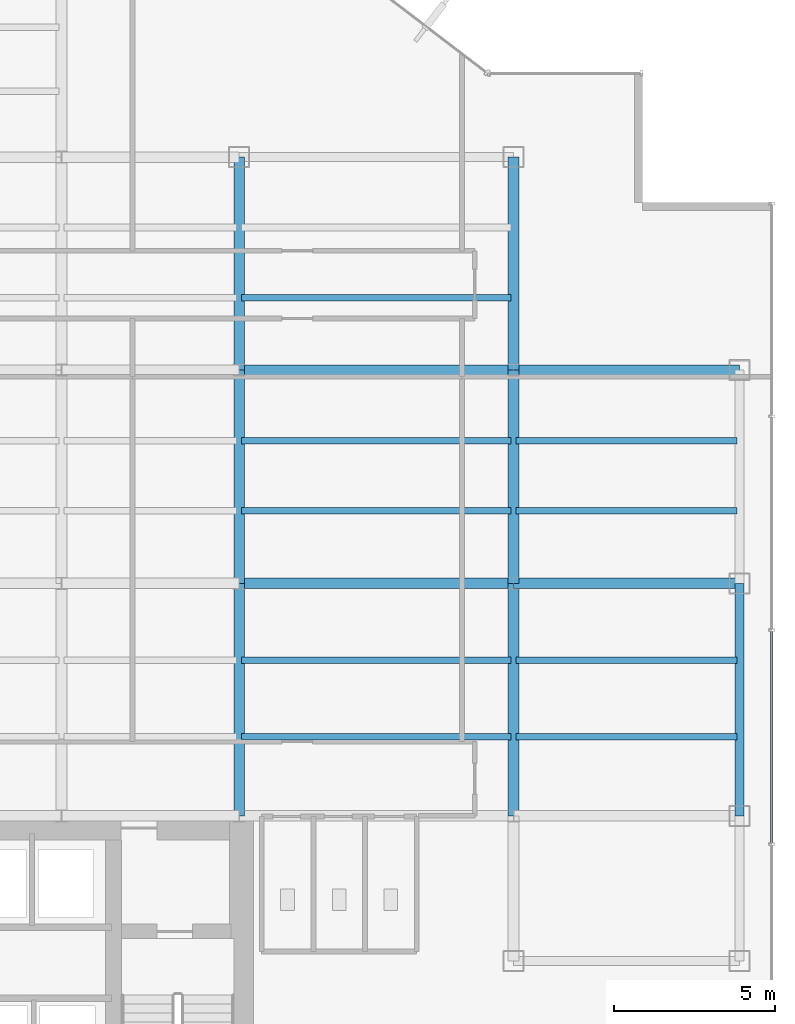
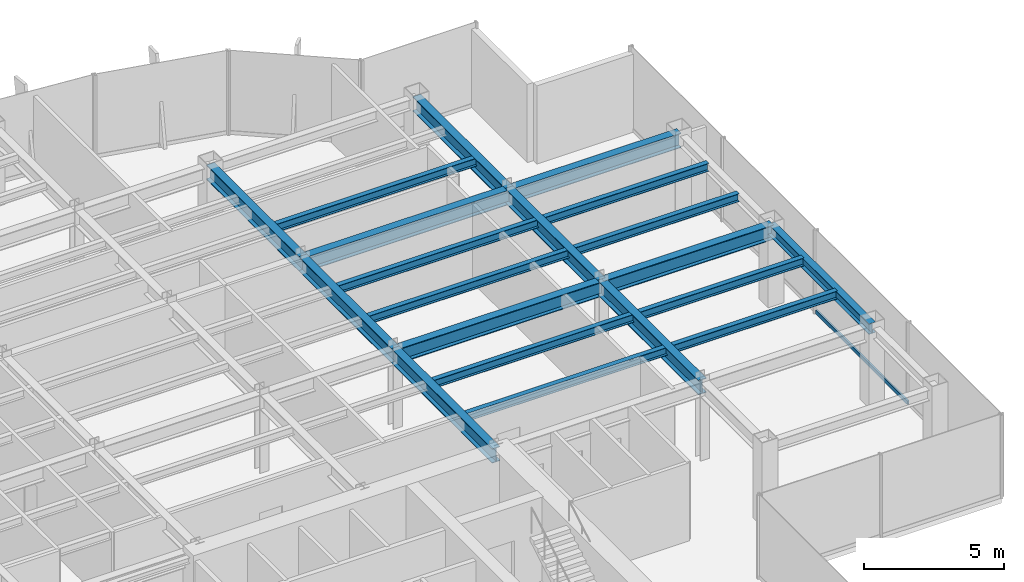
# One storey, part 12 of 25: 20 beams, 1 member, 1 element without a shape of its own.
"""IFC4 building model written with IfcOpenShell, lengths in metres."""

from ifc_helpers import new_model, si_unit, derived_unit, direction, frame, origin, origin_2d, place, context, subcontext, project, spatial, hollow_rectangle, i_section, extrude, source, transform, mapped, material, material_profile, profile_set, type_object, element, aggregate, save


model = new_model("IFC4")

# Units and contexts
model_context = context("Model", 3, precision=1e-05, world=origin(), true_north=direction((0.0, 1.0)))
body_context = subcontext(model_context, "Body", "Model", "MODEL_VIEW")
ifc_project = project(units=[si_unit("LENGTHUNIT", "METRE"), si_unit("AREAUNIT", "SQUARE_METRE"), si_unit("VOLUMEUNIT", "CUBIC_METRE"), si_unit("PLANEANGLEUNIT", "RADIAN"), si_unit("MASSUNIT", "GRAM", prefix="KILO"), derived_unit("THERMALTRANSMITTANCEUNIT", [(si_unit("POWERUNIT", "WATT"), 1), (si_unit("LENGTHUNIT", "METRE"), -2), (si_unit("THERMODYNAMICTEMPERATUREUNIT", "KELVIN"), -1)])], contexts=[model_context])

# Site, building, storey
site_placement = place(None, origin())
site = spatial("IfcSite", under=ifc_project, at=site_placement, CompositionType="ELEMENT")
building_placement = place(site_placement, origin())
building = spatial("IfcBuilding", under=site, at=building_placement, Name="Skarnbrae Concourse Arena and Tower", CompositionType="ELEMENT")
storey_placement = place(building_placement, frame((0.0, 0.0, 144.25)))
storey = spatial("IfcBuildingStorey", under=building, at=storey_placement, Name="L36", CompositionType="ELEMENT", Elevation=144.25)

# Beams
ifc_material_1 = material(Name="Steel CSA G40.21 350W", Category="steel")
ifc_material_profile_1 = material_profile(ifc_material_1, i_section(OverallWidth=0.3291015625, OverallDepth=0.635009765625, WebThickness=0.017822265625, FlangeThickness=0.031005859375, at=origin_2d()), Name="W610X241")
ifc_profile_set_1 = profile_set([ifc_material_profile_1], Name="Steel CSA G40.21 350W")
beam_type_1 = type_object("IfcBeamType", Name="BM-GIRD-W610X241", PredefinedType="BEAM", material=ifc_profile_set_1)
shared_shape_1 = source(origin(), body_context, "Body", "SweptSolid", [
    extrude(i_section(OverallWidth=0.3291015625, OverallDepth=0.635009765625, WebThickness=0.017822265625, FlangeThickness=0.031005859375, at=origin_2d()), origin(), (0.0, 0.0, 1.0), 6.60009765625),
])
for number, where, z_axis, x_axis, name in (
    (1, (33.5, 21.199951171875, 3.08251953125), (0.0, 1.0, 0.0), (-1.0, 0.0, 0.0), "L36 Primary N-S girder X33.5-2"),
    (2, (42.0, 21.199951171875, 3.08251953125), (0.0, 1.0, 0.0), (-1.0, 0.0, 0.0), "L36 Primary N-S girder X42.0-3"),
):
    element("IfcBeam", number, at=place(storey_placement, frame(where, z_axis=z_axis, x_axis=x_axis)), inside=storey, type_object=beam_type_1, Name=name, PredefinedType="BEAM", context=body_context, shape_type="MappedRepresentation", body=[
        mapped(shared_shape_1, transform((0.0, 0.0, 0.0))),
    ])
shared_shape_2 = source(origin(), body_context, "Body", "SweptSolid", [
    extrude(i_section(OverallWidth=0.3291015625, OverallDepth=0.635009765625, WebThickness=0.017822265625, FlangeThickness=0.031005859375, at=origin_2d()), origin(), (0.0, 0.0, 1.0), 8.5),
])
for number, where, z_axis, x_axis, name in (
    (3, (33.5, 21.199951171875, 3.08251953125), (1.0, 0.0, 0.0), (0.0, 1.0, 0.0), "L36 Primary E-W girder Y21.2-6"),
    (4, (33.5, 27.800048828125, 3.08251953125), (1.0, 0.0, 0.0), (0.0, 1.0, 0.0), "L36 Primary E-W girder Y27.8-6"),
):
    element("IfcBeam", number, at=place(storey_placement, frame(where, z_axis=z_axis, x_axis=x_axis)), inside=storey, type_object=beam_type_1, Name=name, PredefinedType="BEAM", context=body_context, shape_type="MappedRepresentation", body=[
        mapped(shared_shape_2, transform((0.0, 0.0, 0.0))),
    ])
shared_shape_3 = source(origin(), body_context, "Body", "SweptSolid", [
    extrude(i_section(OverallWidth=0.3291015625, OverallDepth=0.635009765625, WebThickness=0.017822265625, FlangeThickness=0.031005859375, at=origin_2d()), origin(), (0.0, 0.0, 1.0), 7.0),
])
for number, where, z_axis, x_axis, name in (
    (5, (42.0, 21.199951171875, 3.08251953125), (1.0, 0.0, 0.0), (0.0, 1.0, 0.0), "L36 Primary E-W girder Y21.2-7"),
    (6, (42.0, 27.800048828125, 3.08251953125), (1.0, 0.0, 0.0), (0.0, 1.0, 0.0), "L36 Primary E-W girder Y27.8-7"),
):
    element("IfcBeam", number, at=place(storey_placement, frame(where, z_axis=z_axis, x_axis=x_axis)), inside=storey, type_object=beam_type_1, Name=name, PredefinedType="BEAM", context=body_context, shape_type="MappedRepresentation", body=[
        mapped(shared_shape_3, transform((0.0, 0.0, 0.0))),
    ])
ifc_material_profile_2 = material_profile(ifc_material_1, i_section(OverallWidth=0.280029296875, OverallDepth=0.462890625, WebThickness=0.0107421875, FlangeThickness=0.017333984375, at=origin_2d()), Name="W460X113")
ifc_profile_set_2 = profile_set([ifc_material_profile_2], Name="Steel CSA G40.21 350W")
beam_type_2 = type_object("IfcBeamType", Name="BM-SPAN-W460X113", PredefinedType="SPANDREL", material=ifc_profile_set_2)
shared_shape_4 = source(origin(), body_context, "Body", "SweptSolid", [
    extrude(i_section(OverallWidth=0.280029296875, OverallDepth=0.462890625, WebThickness=0.0107421875, FlangeThickness=0.017333984375, at=origin_2d()), origin(), (0.0, 0.0, 1.0), 7.199951171875),
])
beam_placement = place(storey_placement, frame((49.0, 14.0, 3.16845703125), z_axis=(0.0, 1.0, 0.0), x_axis=(-1.0, 0.0, 0.0)))
element("IfcBeam", 7, at=beam_placement, inside=storey, type_object=beam_type_2, Name="L36 Perimeter spandrel X49.0-2", PredefinedType="SPANDREL", context=body_context, shape_type="MappedRepresentation", body=[
    mapped(shared_shape_4, transform((0.0, 0.0, 0.0))),
])
shared_shape_5 = source(origin(), body_context, "Body", "SweptSolid", [
    extrude(i_section(OverallWidth=0.3291015625, OverallDepth=0.635009765625, WebThickness=0.017822265625, FlangeThickness=0.031005859375, at=origin_2d()), origin(), (0.0, 0.0, 1.0), 7.199951171875),
])
for number, where, z_axis, x_axis, name in (
    (8, (33.5, 14.0, 3.08251953125), (0.0, 1.0, 0.0), (-1.0, 0.0, 0.0), "L36 Primary N-S girder X33.5-1"),
    (9, (42.0, 14.0, 3.08251953125), (0.0, 1.0, 0.0), (-1.0, 0.0, 0.0), "L36 Primary N-S girder X42.0-2"),
):
    element("IfcBeam", number, at=place(storey_placement, frame(where, z_axis=z_axis, x_axis=x_axis)), inside=storey, type_object=beam_type_1, Name=name, PredefinedType="BEAM", context=body_context, shape_type="MappedRepresentation", body=[
        mapped(shared_shape_5, transform((0.0, 0.0, 0.0))),
    ])
shared_shape_6 = source(origin(), body_context, "Body", "SweptSolid", [
    extrude(i_section(OverallWidth=0.3291015625, OverallDepth=0.635009765625, WebThickness=0.017822265625, FlangeThickness=0.031005859375, at=origin_2d()), origin(), (0.0, 0.0, 1.0), 6.599853515625),
])
for number, where, z_axis, x_axis, name in (
    (10, (33.5, 27.800048828125, 3.08251953125), (0.0, 1.0, 0.0), (-1.0, 0.0, 0.0), "L36 Primary N-S girder X33.5-3"),
    (11, (42.0, 27.800048828125, 3.08251953125), (0.0, 1.0, 0.0), (-1.0, 0.0, 0.0), "L36 Primary N-S girder X42.0-4"),
):
    element("IfcBeam", number, at=place(storey_placement, frame(where, z_axis=z_axis, x_axis=x_axis)), inside=storey, type_object=beam_type_1, Name=name, PredefinedType="BEAM", context=body_context, shape_type="MappedRepresentation", body=[
        mapped(shared_shape_6, transform((0.0, 0.0, 0.0))),
    ])
ifc_material_profile_3 = material_profile(ifc_material_1, i_section(OverallWidth=0.205078125, OverallDepth=0.35400390625, WebThickness=0.009521484375, FlangeThickness=0.016845703125, at=origin_2d()), Name="W360X79")
ifc_profile_set_3 = profile_set([ifc_material_profile_3], Name="Steel CSA G40.21 350W")
beam_type_3 = type_object("IfcBeamType", Name="BM-JOIST-W360X79", PredefinedType="JOIST", material=ifc_profile_set_3)
shared_shape_7 = source(origin(), body_context, "Body", "SweptSolid", [
    extrude(i_section(OverallWidth=0.205078125, OverallDepth=0.35400390625, WebThickness=0.009521484375, FlangeThickness=0.016845703125, at=origin_2d()), origin(), (0.0, 0.0, 1.0), 8.33984375),
])
for number, where, z_axis, x_axis, name in (
    (12, (33.580078125, 16.447998046875, 3.222900390625), (1.0, 0.0, 0.0), (0.0, 1.0, 0.0), "L36 Secondary floor joist 1.1.6"),
    (13, (33.580078125, 18.823974609375, 3.222900390625), (1.0, 0.0, 0.0), (0.0, 1.0, 0.0), "L36 Secondary floor joist 1.2.6"),
    (14, (33.580078125, 23.444091796875, 3.222900390625), (1.0, 0.0, 0.0), (0.0, 1.0, 0.0), "L36 Secondary floor joist 2.1.6"),
    (15, (33.580078125, 25.6220703125, 3.222900390625), (1.0, 0.0, 0.0), (0.0, 1.0, 0.0), "L36 Secondary floor joist 2.2.6"),
    (16, (33.580078125, 30.0439453125, 3.222900390625), (1.0, 0.0, 0.0), (0.0, 1.0, 0.0), "L36 Secondary floor joist 3.1.5"),
):
    element("IfcBeam", number, at=place(storey_placement, frame(where, z_axis=z_axis, x_axis=x_axis)), inside=storey, type_object=beam_type_3, Name=name, PredefinedType="JOIST", context=body_context, shape_type="MappedRepresentation", body=[
        mapped(shared_shape_7, transform((0.0, 0.0, 0.0))),
    ])
shared_shape_8 = source(origin(), body_context, "Body", "SweptSolid", [
    extrude(i_section(OverallWidth=0.205078125, OverallDepth=0.35400390625, WebThickness=0.009521484375, FlangeThickness=0.016845703125, at=origin_2d()), origin(), (0.0, 0.0, 1.0), 6.83984375),
])
for number, where, z_axis, x_axis, name in (
    (17, (42.080078125, 16.447998046875, 3.222900390625), (1.0, 0.0, 0.0), (0.0, 1.0, 0.0), "L36 Secondary floor joist 1.1.7"),
    (18, (42.080078125, 18.823974609375, 3.222900390625), (1.0, 0.0, 0.0), (0.0, 1.0, 0.0), "L36 Secondary floor joist 1.2.7"),
    (19, (42.080078125, 23.444091796875, 3.222900390625), (1.0, 0.0, 0.0), (0.0, 1.0, 0.0), "L36 Secondary floor joist 2.1.7"),
    (20, (42.080078125, 25.6220703125, 3.222900390625), (1.0, 0.0, 0.0), (0.0, 1.0, 0.0), "L36 Secondary floor joist 2.2.7"),
):
    element("IfcBeam", number, at=place(storey_placement, frame(where, z_axis=z_axis, x_axis=x_axis)), inside=storey, type_object=beam_type_3, Name=name, PredefinedType="JOIST", context=body_context, shape_type="MappedRepresentation", body=[
        mapped(shared_shape_8, transform((0.0, 0.0, 0.0))),
    ])

# Curtain wall, member
ifc_material_2 = material(Name="Bronze anodised aluminium 6063-T6", Category="aluminium")
curtain_wall_type = type_object("IfcCurtainWallType", Name="CW-SYS-04-MIDZONE", PredefinedType="USERDEFINED", material=ifc_material_2)
curtain_wall_placement = place(storey_placement, origin())
curtain_wall = element("IfcCurtainWall", 21, at=curtain_wall_placement, inside=storey, type_object=curtain_wall_type, Name="L36 Unitised curtain wall CW-L36-E04", ObjectType="UNITISED CURTAIN WALL", PredefinedType="USERDEFINED")
ifc_material_profile_4 = material_profile(ifc_material_2, hollow_rectangle(XDim=0.074951171875, YDim=0.159912109375, WallThickness=0.00439453125, at=origin_2d()), Name="ALU-TRAN-75X160")
ifc_profile_set_4 = profile_set([ifc_material_profile_4], Name="Bronze anodised aluminium 6063-T6")
member_type = type_object("IfcMemberType", Name="CWT-CW-04", PredefinedType="USERDEFINED", material=ifc_profile_set_4)
shared_shape_9 = source(origin(), body_context, "Body", "SweptSolid", [
    extrude(hollow_rectangle(XDim=0.074951171875, YDim=0.159912109375, WallThickness=0.00439453125, at=origin_2d()), origin(), (0.0, 0.0, 1.0), 6.5498046875),
])
member_placement = place(storey_placement, frame((50.0, 13.16259765625, 0.080078125), z_axis=(0.0, 1.0, 0.0), x_axis=(-1.0, 0.0, 0.0)))
member = element("IfcMember", 22, at=member_placement, type_object=member_type, Name="CW-L36-E04 Transom 2", ObjectType="TRANSOM", PredefinedType="USERDEFINED", context=body_context, shape_type="MappedRepresentation", body=[
    mapped(shared_shape_9, transform((0.0, 0.0, 0.0))),
])
aggregate(curtain_wall, [member])

save(model, "model.ifc")
